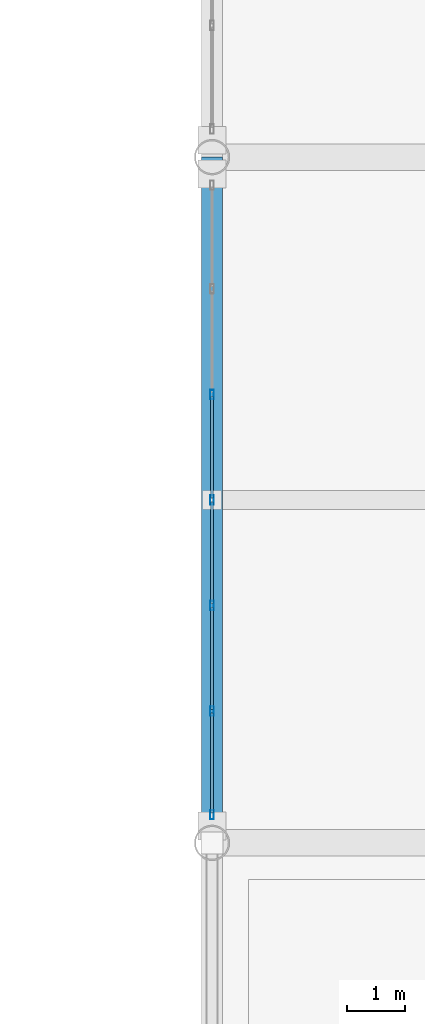
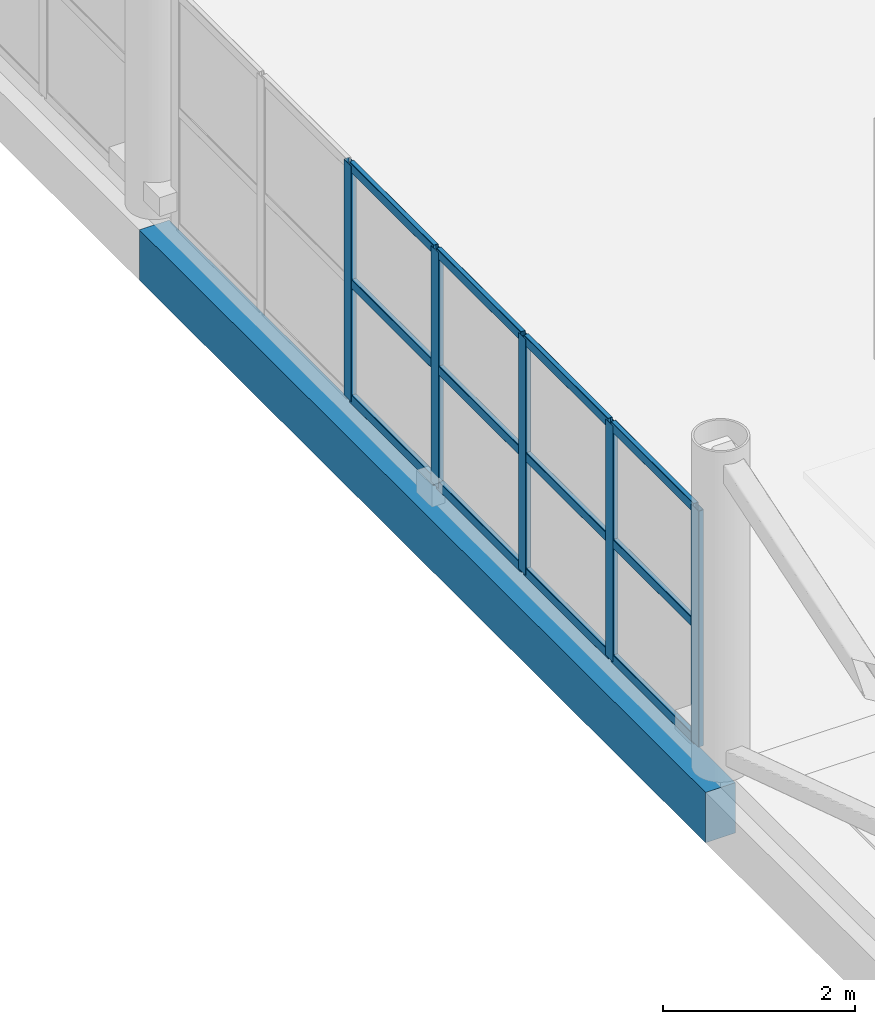
# One storey, part 54 of 157: 17 members, 1 beam, 1 element without a shape of its own.
"""IFC4 building model written with IfcOpenShell, lengths in metres."""

from ifc_helpers import new_model, si_unit, direction, frame, origin, origin_2d, place, context, subcontext, project, spatial, rectangle, hollow_rectangle, extrude, material, material_profile, profile_set, type_object, element, aggregate, save


model = new_model("IFC4")

# Units and contexts
model_context = context("Model", 3, precision=1e-05, world=origin(), true_north=direction((0.0, 1.0)))
body_context = subcontext(model_context, "Body", "Model", "MODEL_VIEW")
ifc_project = project(units=[si_unit("LENGTHUNIT", "METRE"), si_unit("AREAUNIT", "SQUARE_METRE"), si_unit("VOLUMEUNIT", "CUBIC_METRE"), si_unit("PLANEANGLEUNIT", "RADIAN"), si_unit("MASSUNIT", "GRAM", prefix="KILO")], contexts=[model_context])

# Site, building, storey
site_placement = place(None, origin())
site = spatial("IfcSite", under=ifc_project, at=site_placement, CompositionType="ELEMENT")
building_placement = place(site_placement, origin())
building = spatial("IfcBuilding", under=site, at=building_placement, Name="Brelvane Convention Centre", CompositionType="ELEMENT")
storey_placement = place(building_placement, frame((0.0, 0.0, 10.800048828125)))
storey = spatial("IfcBuildingStorey", under=building, at=storey_placement, Name="L02", CompositionType="ELEMENT", Elevation=10.800048828125)

# Curtain wall, members
ifc_material_1 = material(Name="Anodised Aluminium Alloy 6063-T6", Category="aluminium")
curtain_wall_type = type_object("IfcCurtainWallType", Name="Curtain Wall CW-CONC", PredefinedType="USERDEFINED", material=ifc_material_1)
curtain_wall_placement = place(storey_placement, origin())
curtain_wall = element("IfcCurtainWall", 1, at=curtain_wall_placement, inside=storey, type_object=curtain_wall_type, Name="Curtain Wall CW-CONC L02-GAL-ATRIUM-W-1", ObjectType="UNITISED", PredefinedType="USERDEFINED")
ifc_material_2 = material(Name="Anodised Aluminium Alloy 6063-T6", Category="aluminium")
ifc_material_profile_1 = material_profile(ifc_material_2, hollow_rectangle(XDim=0.06494140625, YDim=0.159912109375, WallThickness=0.00390625, InnerFilletRadius=0.00390625, OuterFilletRadius=0.008056640625, at=origin_2d()), Name="ALU-M 160x65x4.0")
ifc_profile_set_1 = profile_set([ifc_material_profile_1], Name="Anodised Aluminium Alloy 6063-T6")
member_type_1 = type_object("IfcMemberType", Name="Curtain Mullion CW-M3", PredefinedType="MULLION", material=ifc_profile_set_1)
member_1_placement = place(storey_placement, frame((142.800048828125, 41.08251953125, 0.0), z_axis=(0.0, 0.0, 1.0), x_axis=(-1.0, 0.0, 0.0)))
member_1 = element("IfcMember", 2, at=member_1_placement, type_object=member_type_1, Name="CW-CONC mullion 1", PredefinedType="MULLION", context=body_context, shape_type="SweptSolid", body=[
    extrude(hollow_rectangle(XDim=0.06494140625, YDim=0.159912109375, WallThickness=0.00390625, InnerFilletRadius=0.00390625, OuterFilletRadius=0.008056640625, at=origin_2d()), origin(), (0.0, 0.0, 1.0), 3.0),
])
member_2_placement = place(storey_placement, frame((142.800048828125, 42.86669921875, 0.0), z_axis=(0.0, 0.0, 1.0), x_axis=(-1.0, 0.0, 0.0)))
member_2 = element("IfcMember", 3, at=member_2_placement, type_object=member_type_1, Name="CW-CONC mullion 2", PredefinedType="MULLION", context=body_context, shape_type="SweptSolid", body=[
    extrude(hollow_rectangle(XDim=0.06494140625, YDim=0.159912109375, WallThickness=0.00390625, InnerFilletRadius=0.00390625, OuterFilletRadius=0.008056640625, at=origin_2d()), origin(), (0.0, 0.0, 1.0), 3.0),
])
member_3_placement = place(storey_placement, frame((142.800048828125, 44.683349609375, 0.0), z_axis=(0.0, 0.0, 1.0), x_axis=(-1.0, 0.0, 0.0)))
member_3 = element("IfcMember", 4, at=member_3_placement, type_object=member_type_1, Name="CW-CONC mullion 3", PredefinedType="MULLION", context=body_context, shape_type="SweptSolid", body=[
    extrude(hollow_rectangle(XDim=0.06494140625, YDim=0.159912109375, WallThickness=0.00390625, InnerFilletRadius=0.00390625, OuterFilletRadius=0.008056640625, at=origin_2d()), origin(), (0.0, 0.0, 1.0), 3.0),
])
member_4_placement = place(storey_placement, frame((142.800048828125, 46.5, 0.0), z_axis=(0.0, 0.0, 1.0), x_axis=(-1.0, 0.0, 0.0)))
member_4 = element("IfcMember", 5, at=member_4_placement, type_object=member_type_1, Name="CW-CONC mullion 4", PredefinedType="MULLION", context=body_context, shape_type="SweptSolid", body=[
    extrude(hollow_rectangle(XDim=0.06494140625, YDim=0.159912109375, WallThickness=0.00390625, InnerFilletRadius=0.00390625, OuterFilletRadius=0.008056640625, at=origin_2d()), origin(), (0.0, 0.0, 1.0), 3.0),
])
member_5_placement = place(storey_placement, frame((142.800048828125, 48.316650390625, 0.0), z_axis=(0.0, 0.0, 1.0), x_axis=(-1.0, 0.0, 0.0)))
member_5 = element("IfcMember", 6, at=member_5_placement, type_object=member_type_1, Name="CW-CONC mullion 5", PredefinedType="MULLION", context=body_context, shape_type="SweptSolid", body=[
    extrude(hollow_rectangle(XDim=0.06494140625, YDim=0.159912109375, WallThickness=0.00390625, InnerFilletRadius=0.00390625, OuterFilletRadius=0.008056640625, at=origin_2d()), origin(), (0.0, 0.0, 1.0), 3.0),
])
ifc_material_3 = material(Name="Anodised Aluminium Alloy 6063-T6", Category="aluminium")
ifc_material_profile_2 = material_profile(ifc_material_3, hollow_rectangle(XDim=0.06005859375, YDim=0.1201171875, WallThickness=0.00390625, InnerFilletRadius=0.00390625, OuterFilletRadius=0.008056640625, at=origin_2d()), Name="ALU-T 120x60x4.0")
ifc_profile_set_2 = profile_set([ifc_material_profile_2], Name="Anodised Aluminium Alloy 6063-T6")
member_type_2 = type_object("IfcMemberType", Name="Curtain Transom CW-T3", PredefinedType="USERDEFINED", material=ifc_profile_set_2)
member_6_placement = place(storey_placement, frame((142.800048828125, 41.114990234375, 0.030029296875), z_axis=(0.0, 1.0, 0.0), x_axis=(-1.0, 0.0, 0.0)))
member_6 = element("IfcMember", 7, at=member_6_placement, type_object=member_type_2, Name="CW-CONC transom 1.1", ObjectType="TRANSOM", PredefinedType="USERDEFINED", context=body_context, shape_type="SweptSolid", body=[
    extrude(hollow_rectangle(XDim=0.06005859375, YDim=0.1201171875, WallThickness=0.00390625, InnerFilletRadius=0.00390625, OuterFilletRadius=0.008056640625, at=origin_2d()), origin(), (0.0, 0.0, 1.0), 1.71923828125),
])
member_7_placement = place(storey_placement, frame((142.800048828125, 41.114990234375, 1.5), z_axis=(0.0, 1.0, 0.0), x_axis=(-1.0, 0.0, 0.0)))
member_7 = element("IfcMember", 8, at=member_7_placement, type_object=member_type_2, Name="CW-CONC transom 1.2", ObjectType="TRANSOM", PredefinedType="USERDEFINED", context=body_context, shape_type="SweptSolid", body=[
    extrude(hollow_rectangle(XDim=0.06005859375, YDim=0.1201171875, WallThickness=0.00390625, InnerFilletRadius=0.00390625, OuterFilletRadius=0.008056640625, at=origin_2d()), origin(), (0.0, 0.0, 1.0), 1.71923828125),
])
member_8_placement = place(storey_placement, frame((142.800048828125, 41.114990234375, 2.969970703125), z_axis=(0.0, 1.0, 0.0), x_axis=(-1.0, 0.0, 0.0)))
member_8 = element("IfcMember", 9, at=member_8_placement, type_object=member_type_2, Name="CW-CONC transom 1.3", ObjectType="TRANSOM", PredefinedType="USERDEFINED", context=body_context, shape_type="SweptSolid", body=[
    extrude(hollow_rectangle(XDim=0.06005859375, YDim=0.1201171875, WallThickness=0.00390625, InnerFilletRadius=0.00390625, OuterFilletRadius=0.008056640625, at=origin_2d()), origin(), (0.0, 0.0, 1.0), 1.71923828125),
])
member_9_placement = place(storey_placement, frame((142.800048828125, 42.899169921875, 0.030029296875), z_axis=(0.0, 1.0, 0.0), x_axis=(-1.0, 0.0, 0.0)))
member_9 = element("IfcMember", 10, at=member_9_placement, type_object=member_type_2, Name="CW-CONC transom 2.1", ObjectType="TRANSOM", PredefinedType="USERDEFINED", context=body_context, shape_type="SweptSolid", body=[
    extrude(hollow_rectangle(XDim=0.06005859375, YDim=0.1201171875, WallThickness=0.00390625, InnerFilletRadius=0.00390625, OuterFilletRadius=0.008056640625, at=origin_2d()), origin(), (0.0, 0.0, 1.0), 1.751708984375),
])
member_10_placement = place(storey_placement, frame((142.800048828125, 42.899169921875, 1.5), z_axis=(0.0, 1.0, 0.0), x_axis=(-1.0, 0.0, 0.0)))
member_10 = element("IfcMember", 11, at=member_10_placement, type_object=member_type_2, Name="CW-CONC transom 2.2", ObjectType="TRANSOM", PredefinedType="USERDEFINED", context=body_context, shape_type="SweptSolid", body=[
    extrude(hollow_rectangle(XDim=0.06005859375, YDim=0.1201171875, WallThickness=0.00390625, InnerFilletRadius=0.00390625, OuterFilletRadius=0.008056640625, at=origin_2d()), origin(), (0.0, 0.0, 1.0), 1.751708984375),
])
member_11_placement = place(storey_placement, frame((142.800048828125, 42.899169921875, 2.969970703125), z_axis=(0.0, 1.0, 0.0), x_axis=(-1.0, 0.0, 0.0)))
member_11 = element("IfcMember", 12, at=member_11_placement, type_object=member_type_2, Name="CW-CONC transom 2.3", ObjectType="TRANSOM", PredefinedType="USERDEFINED", context=body_context, shape_type="SweptSolid", body=[
    extrude(hollow_rectangle(XDim=0.06005859375, YDim=0.1201171875, WallThickness=0.00390625, InnerFilletRadius=0.00390625, OuterFilletRadius=0.008056640625, at=origin_2d()), origin(), (0.0, 0.0, 1.0), 1.751708984375),
])
member_12_placement = place(storey_placement, frame((142.800048828125, 44.7158203125, 0.030029296875), z_axis=(0.0, 1.0, 0.0), x_axis=(-1.0, 0.0, 0.0)))
member_12 = element("IfcMember", 13, at=member_12_placement, type_object=member_type_2, Name="CW-CONC transom 3.1", ObjectType="TRANSOM", PredefinedType="USERDEFINED", context=body_context, shape_type="SweptSolid", body=[
    extrude(hollow_rectangle(XDim=0.06005859375, YDim=0.1201171875, WallThickness=0.00390625, InnerFilletRadius=0.00390625, OuterFilletRadius=0.008056640625, at=origin_2d()), origin(), (0.0, 0.0, 1.0), 1.751708984375),
])
member_13_placement = place(storey_placement, frame((142.800048828125, 44.7158203125, 1.5), z_axis=(0.0, 1.0, 0.0), x_axis=(-1.0, 0.0, 0.0)))
member_13 = element("IfcMember", 14, at=member_13_placement, type_object=member_type_2, Name="CW-CONC transom 3.2", ObjectType="TRANSOM", PredefinedType="USERDEFINED", context=body_context, shape_type="SweptSolid", body=[
    extrude(hollow_rectangle(XDim=0.06005859375, YDim=0.1201171875, WallThickness=0.00390625, InnerFilletRadius=0.00390625, OuterFilletRadius=0.008056640625, at=origin_2d()), origin(), (0.0, 0.0, 1.0), 1.751708984375),
])
member_14_placement = place(storey_placement, frame((142.800048828125, 44.7158203125, 2.969970703125), z_axis=(0.0, 1.0, 0.0), x_axis=(-1.0, 0.0, 0.0)))
member_14 = element("IfcMember", 15, at=member_14_placement, type_object=member_type_2, Name="CW-CONC transom 3.3", ObjectType="TRANSOM", PredefinedType="USERDEFINED", context=body_context, shape_type="SweptSolid", body=[
    extrude(hollow_rectangle(XDim=0.06005859375, YDim=0.1201171875, WallThickness=0.00390625, InnerFilletRadius=0.00390625, OuterFilletRadius=0.008056640625, at=origin_2d()), origin(), (0.0, 0.0, 1.0), 1.751708984375),
])
member_15_placement = place(storey_placement, frame((142.800048828125, 46.532470703125, 0.030029296875), z_axis=(0.0, 1.0, 0.0), x_axis=(-1.0, 0.0, 0.0)))
member_15 = element("IfcMember", 16, at=member_15_placement, type_object=member_type_2, Name="CW-CONC transom 4.1", ObjectType="TRANSOM", PredefinedType="USERDEFINED", context=body_context, shape_type="SweptSolid", body=[
    extrude(hollow_rectangle(XDim=0.06005859375, YDim=0.1201171875, WallThickness=0.00390625, InnerFilletRadius=0.00390625, OuterFilletRadius=0.008056640625, at=origin_2d()), origin(), (0.0, 0.0, 1.0), 1.751708984375),
])
member_16_placement = place(storey_placement, frame((142.800048828125, 46.532470703125, 1.5), z_axis=(0.0, 1.0, 0.0), x_axis=(-1.0, 0.0, 0.0)))
member_16 = element("IfcMember", 17, at=member_16_placement, type_object=member_type_2, Name="CW-CONC transom 4.2", ObjectType="TRANSOM", PredefinedType="USERDEFINED", context=body_context, shape_type="SweptSolid", body=[
    extrude(hollow_rectangle(XDim=0.06005859375, YDim=0.1201171875, WallThickness=0.00390625, InnerFilletRadius=0.00390625, OuterFilletRadius=0.008056640625, at=origin_2d()), origin(), (0.0, 0.0, 1.0), 1.751708984375),
])
member_17_placement = place(storey_placement, frame((142.800048828125, 46.532470703125, 2.969970703125), z_axis=(0.0, 1.0, 0.0), x_axis=(-1.0, 0.0, 0.0)))
member_17 = element("IfcMember", 18, at=member_17_placement, type_object=member_type_2, Name="CW-CONC transom 4.3", ObjectType="TRANSOM", PredefinedType="USERDEFINED", context=body_context, shape_type="SweptSolid", body=[
    extrude(hollow_rectangle(XDim=0.06005859375, YDim=0.1201171875, WallThickness=0.00390625, InnerFilletRadius=0.00390625, OuterFilletRadius=0.008056640625, at=origin_2d()), origin(), (0.0, 0.0, 1.0), 1.751708984375),
])
aggregate(curtain_wall, [member_1, member_2, member_3, member_4, member_5, member_6, member_7, member_8, member_9, member_10, member_11, member_12, member_13, member_14, member_15, member_16, member_17])

# Beam
ifc_material_4 = material(Name="Concrete M40", Category="concrete")
ifc_material_profile_3 = material_profile(ifc_material_4, rectangle(XDim=0.360107421875, YDim=0.639892578125, at=origin_2d()), Name="RC 360x640")
ifc_profile_set_3 = profile_set([ifc_material_profile_3], Name="Concrete M40")
beam_type = type_object("IfcBeamType", Name="RC Spandrel SP-RC3 (RC 360x640)", PredefinedType="SPANDREL", material=ifc_profile_set_3)
beam_placement = place(storey_placement, frame((142.800048828125, 40.60009765625, -0.60009765625), z_axis=(0.0, 1.0, 0.0), x_axis=(-1.0, 0.0, 0.0)))
element("IfcBeam", 19, at=beam_placement, inside=storey, type_object=beam_type, Name="L02 Girder 15/E-F", PredefinedType="SPANDREL", context=body_context, shape_type="SweptSolid", body=[
    extrude(rectangle(XDim=0.360107421875, YDim=0.639892578125, at=origin_2d()), origin(), (0.0, 0.0, 1.0), 11.7998046875),
])

save(model, "model.ifc")
